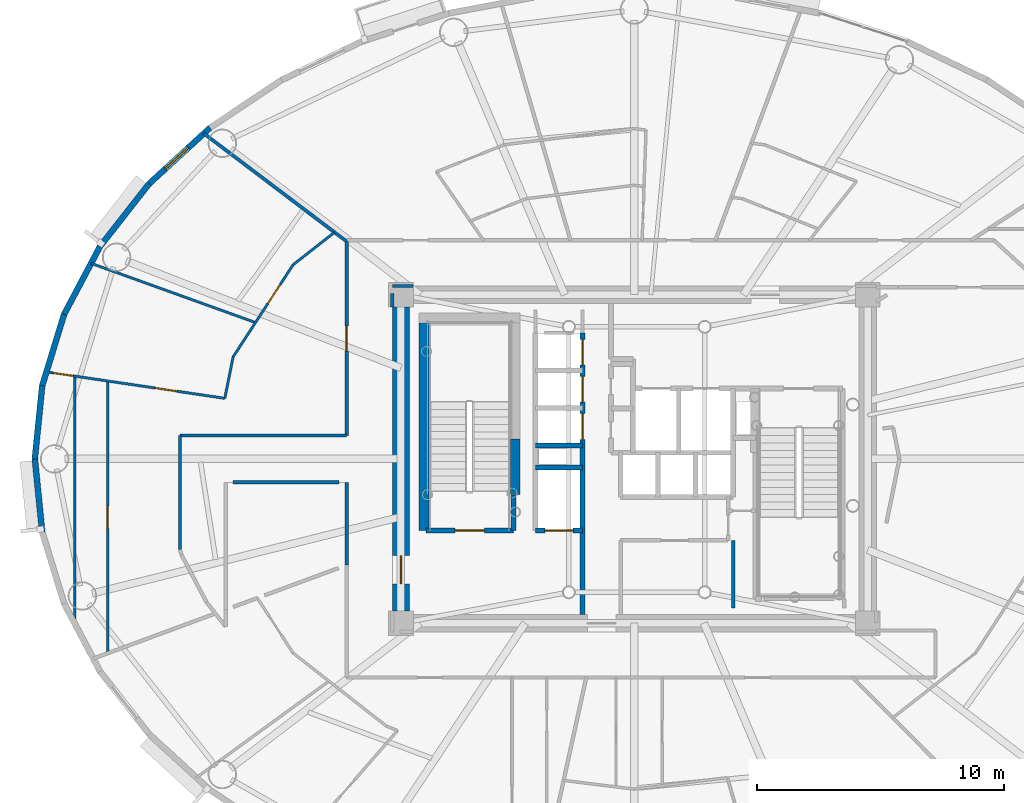
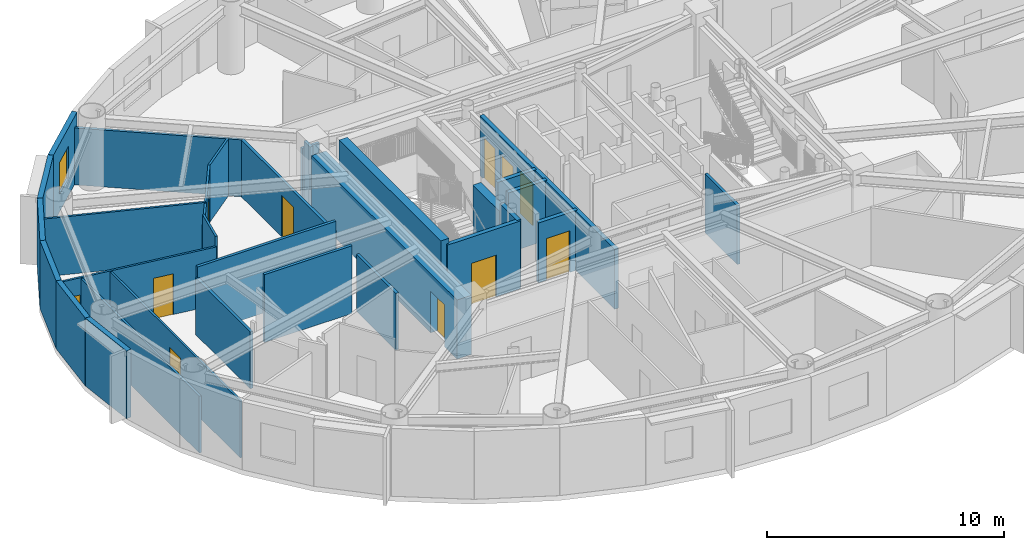
# One storey, part 8 of 19: 31 walls, 11 doors, 1 window, 12 openings.
"""IFC4 building model written with IfcOpenShell, lengths in metres."""

from ifc_helpers import new_model, si_unit, direction, frame, frame_2d, origin, origin_2d, place, context, subcontext, project, spatial, rectangle, extrude, source, transform, mapped, material, layer, layer_set, type_object, element, fill, save


model = new_model("IFC4")

# Units and contexts
model_context = context("Model", 3, precision=1e-05, world=origin(), true_north=direction((0.0, 1.0)))
body_context = subcontext(model_context, "Body", "Model", "MODEL_VIEW")
ifc_project = project(units=[si_unit("LENGTHUNIT", "METRE"), si_unit("AREAUNIT", "SQUARE_METRE"), si_unit("VOLUMEUNIT", "CUBIC_METRE"), si_unit("PLANEANGLEUNIT", "RADIAN"), si_unit("MASSUNIT", "GRAM", prefix="KILO")], contexts=[model_context])

# Site, building, storey
site_placement = place(None, origin())
site = spatial("IfcSite", under=ifc_project, at=site_placement, CompositionType="ELEMENT")
building_placement = place(site_placement, origin())
building = spatial("IfcBuilding", under=site, at=building_placement, Name="Linh Dai School and Residence Tower", CompositionType="ELEMENT")
storey_placement = place(building_placement, frame((0.0, 0.0, 217.800048828125)))
storey = spatial("IfcBuildingStorey", under=building, at=storey_placement, Name="L53", CompositionType="ELEMENT", Elevation=217.800048828125)

# Wall, opening, window
ifc_material_1 = material(Name="Precast Concrete B45 (C35/45)", Category="concrete")
ifc_layer_1 = layer(ifc_material_1, 0.239990234375)
ifc_layer_set_1 = layer_set([ifc_layer_1], Name="Precast Concrete B45 (C35/45)")
wall_type_1 = type_object("IfcWallType", Name="EW-TC-240", PredefinedType="SOLIDWALL", material=ifc_layer_set_1)
wall_1_placement = place(storey_placement, frame((16.3515625, 38.14453125, 0.0), z_axis=(0.0, 0.0, 1.0), x_axis=(0.737123922599, 0.675757591694, 0.0)))
wall_1 = element("IfcWall", 1, at=wall_1_placement, inside=storey, type_object=wall_type_1, Name="L53 Terracotta Exterior Wall 16", PredefinedType="SOLIDWALL", context=body_context, shape_type="SweptSolid", body=[
    extrude(rectangle(XDim=3.353759765625, YDim=0.239990234375, at=frame_2d((1.6767578125, 0.0))), origin(), (0.0, 0.0, 1.0), 3.5),
])
opening_1_placement = place(wall_1_placement, frame((0.8955078125, 0.0, 0.89990234375)))
opening_1 = element("IfcOpeningElement", 2, at=opening_1_placement, cuts=wall_1, Name="Opening W3", PredefinedType="OPENING", context=body_context, shape_type="SweptSolid", body=[
    extrude(rectangle(XDim=1.25, YDim=1.64990234375, at=origin_2d()), frame((0.625, 0.1298828125, 0.824951171875), z_axis=(0.0, -1.0, 0.0), x_axis=(1.0, 0.0, 0.0)), (0.0, 0.0, 1.0), 0.260009765625),
])
ifc_material_2 = material(Name="Double Low-E Insulated Glazing", Category="glass")
window_type = type_object("IfcWindowType", Name="WN-RES-1250x1650", PartitioningType="SINGLE_PANEL", PredefinedType="WINDOW", material=ifc_material_2)
shared_shape_1 = source(origin(), body_context, "Body", "SweptSolid", [
    extrude(rectangle(XDim=1.25, YDim=1.64990234375, at=origin_2d()), frame((0.625, 0.030029296875, 0.824951171875), z_axis=(0.0, -1.0, 0.0), x_axis=(1.0, 0.0, 0.0)), (0.0, 0.0, 1.0), 0.06005859375),
])
window_placement = place(opening_1_placement, origin())
window = element("IfcWindow", 3, at=window_placement, inside=storey, type_object=window_type, Name="L53 Exterior Window 16.1", OverallHeight=1.64990234375, OverallWidth=1.25, PartitioningType="SINGLE_PANEL", PredefinedType="WINDOW", context=body_context, shape_type="MappedRepresentation", body=[
    mapped(shared_shape_1, transform((0.0, 0.0, 0.0), x_axis=(1.0, 0.0, 0.0), y_axis=(0.0, 1.0, 0.0), z_axis=(0.0, 0.0, 1.0), scale=1.0)),
])
fill(opening_1, window)

# Walls
wall_2_placement = place(storey_placement, frame((14.3642578125, 35.605224609375, 0.0), z_axis=(0.0, 0.0, 1.0), x_axis=(0.616312344705, 0.787501805562, 0.0)))
element("IfcWall", 4, at=wall_2_placement, inside=storey, type_object=wall_type_1, Name="L53 Terracotta Exterior Wall 17", PredefinedType="SOLIDWALL", context=body_context, shape_type="SweptSolid", body=[
    extrude(rectangle(XDim=3.224609375, YDim=0.239990234375, at=frame_2d((1.6123046875, 0.0))), origin(), (0.0, 0.0, 1.0), 3.5),
])
wall_3_placement = place(storey_placement, frame((12.90966796875, 32.85595703125, 0.0), z_axis=(0.0, 0.0, 1.0), x_axis=(0.46766049993, 0.883908172157, 0.0)))
element("IfcWall", 5, at=wall_3_placement, inside=storey, type_object=wall_type_1, Name="L53 Terracotta Exterior Wall 18", PredefinedType="SOLIDWALL", context=body_context, shape_type="SweptSolid", body=[
    extrude(rectangle(XDim=3.1103515625, YDim=0.239990234375, at=frame_2d((1.55517578125, 0.0))), origin(), (0.0, 0.0, 1.0), 3.5),
])
wall_4_placement = place(storey_placement, frame((12.02294921875, 29.9638671875, 0.0), z_axis=(0.0, 0.0, 1.0), x_axis=(0.293132907334, 0.95607170162, 0.0)))
element("IfcWall", 6, at=wall_4_placement, inside=storey, type_object=wall_type_1, Name="L53 Terracotta Exterior Wall 19", PredefinedType="SOLIDWALL", context=body_context, shape_type="SweptSolid", body=[
    extrude(rectangle(XDim=3.02490234375, YDim=0.239990234375, at=frame_2d((1.512451171875, 0.0))), origin(), (0.0, 0.0, 1.0), 3.5),
])
for number, where, z_axis, x_axis, name in (
    (7, (11.72509765625, 27.0, 0.0), (0.0, 0.0, 1.0), (0.099990595253, 0.994988382274, 0.0), "L53 Terracotta Exterior Wall 20"),
    (8, (12.02294921875, 24.0361328125, 0.0), (0.0, 0.0, 1.0), (-0.099990595253, 0.994988382274, 0.0), "L53 Terracotta Exterior Wall 21"),
):
    element("IfcWall", number, at=place(storey_placement, frame(where, z_axis=z_axis, x_axis=x_axis)), inside=storey, type_object=wall_type_1, Name=name, PredefinedType="SOLIDWALL", context=body_context, shape_type="SweptSolid", body=[
        extrude(rectangle(XDim=2.978759765625, YDim=0.239990234375, at=frame_2d((1.4892578125, 0.0))), origin(), (0.0, 0.0, 1.0), 3.5),
    ])
ifc_material_3 = material(Name="Autoclaved Aerated Concrete Blockwork", Category="masonry")
ifc_layer_2 = layer(ifc_material_3, 0.135009765625)
ifc_layer_set_2 = layer_set([ifc_layer_2], Name="Autoclaved Aerated Concrete Blockwork")
wall_type_2 = type_object("IfcWallType", Name="IW-CORR-135-EI90", PredefinedType="PARTITIONING", material=ifc_layer_set_2)
wall_5_placement = place(storey_placement, frame((17.60009765625, 23.327880859375, 0.0), z_axis=(0.0, 0.0, 1.0), x_axis=(0.0, 1.0, 0.0)))
element("IfcWall", 9, at=wall_5_placement, inside=storey, type_object=wall_type_2, Name="L53 Interior Partition Wall 006", PredefinedType="PARTITIONING", context=body_context, shape_type="SweptSolid", body=[
    extrude(rectangle(XDim=4.6220703125, YDim=0.135009765625, at=frame_2d((2.31103515625, 0.0))), origin(), (0.0, 0.0, 1.0), 2.93505859375),
])
wall_6_placement = place(storey_placement, frame((17.60009765625, 27.949951171875, 0.0), z_axis=(0.0, 0.0, 1.0), x_axis=(1.0, 0.0, 0.0)))
element("IfcWall", 10, at=wall_6_placement, inside=storey, type_object=wall_type_2, Name="L53 Interior Partition Wall 008", PredefinedType="PARTITIONING", context=body_context, shape_type="SweptSolid", body=[
    extrude(rectangle(XDim=6.75, YDim=0.135009765625, at=frame_2d((3.375, 0.0))), origin(), (0.0, 0.0, 1.0), 3.5),
])
wall_7_placement = place(storey_placement, frame((18.56494140625, 40.180419921875, 0.0), z_axis=(0.0, 0.0, 1.0), x_axis=(0.797711861377, -0.603038793295, 0.0)))
element("IfcWall", 11, at=wall_7_placement, inside=storey, type_object=wall_type_2, Name="L53 Interior Partition Wall 011", PredefinedType="PARTITIONING", context=body_context, shape_type="SweptSolid", body=[
    extrude(rectangle(XDim=7.25244140625, YDim=0.135009765625, at=frame_2d((3.626220703125, 0.0))), origin(), (0.0, 0.0, 1.0), 2.93505859375),
])

# Wall, opening, door
wall_8_placement = place(storey_placement, frame((24.35009765625, 27.949951171875, 0.0), z_axis=(0.0, 0.0, 1.0), x_axis=(0.0, 1.0, 0.0)))
wall_8 = element("IfcWall", 12, at=wall_8_placement, inside=storey, type_object=wall_type_2, Name="L53 Interior Partition Wall 022", PredefinedType="PARTITIONING", context=body_context, shape_type="SweptSolid", body=[
    extrude(rectangle(XDim=7.857177734375, YDim=0.135009765625, at=frame_2d((3.9287109375, 0.0))), origin(), (0.0, 0.0, 1.0), 2.93505859375),
])
opening_2_placement = place(wall_8_placement, frame((3.4287109375, 0.0, 0.0)))
opening_2 = element("IfcOpeningElement", 13, at=opening_2_placement, cuts=wall_8, Name="Opening D03", PredefinedType="OPENING", context=body_context, shape_type="SweptSolid", body=[
    extrude(rectangle(XDim=1.0, YDim=2.14990234375, at=origin_2d()), frame((0.5, 0.07763671875, 1.074951171875), z_axis=(0.0, -1.0, 0.0), x_axis=(1.0, 0.0, 0.0)), (0.0, 0.0, 1.0), 0.155029296875),
])
ifc_material_4 = material(Name="Fire-Rated Solid Timber Entrance Door", Category="wood")
door_type_1 = type_object("IfcDoorType", Name="DR-FLAT-1000x2150-FD60S", OperationType="NOTDEFINED", PredefinedType="DOOR", material=ifc_material_4)
shared_shape_2 = source(origin(), body_context, "Body", "SweptSolid", [
    extrude(rectangle(XDim=1.0, YDim=2.14990234375, at=origin_2d()), frame((0.5, 0.02490234375, 1.074951171875), z_axis=(0.0, -1.0, 0.0), x_axis=(1.0, 0.0, 0.0)), (0.0, 0.0, 1.0), 0.050048828125),
])
door_1_placement = place(opening_2_placement, origin())
door_1 = element("IfcDoor", 14, at=door_1_placement, inside=storey, type_object=door_type_1, Name="L53 U5304 Apartment Entrance Door", OperationType="SINGLE_SWING_LEFT", OverallHeight=2.14990234375, OverallWidth=1.0, PredefinedType="DOOR", context=body_context, shape_type="MappedRepresentation", body=[
    mapped(shared_shape_2, transform((0.0, 0.0, 0.0), x_axis=(1.0, 0.0, 0.0), y_axis=(0.0, 1.0, 0.0), z_axis=(0.0, 0.0, 1.0), scale=1.0)),
])
fill(opening_2, door_1)

# Walls
wall_9_placement = place(storey_placement, frame((40.0, 23.699951171875, 0.0), z_axis=(0.0, 0.0, 1.0), x_axis=(0.0, -1.0, 0.0)))
element("IfcWall", 15, at=wall_9_placement, inside=storey, type_object=wall_type_2, Name="L53 Interior Partition Wall 098", PredefinedType="PARTITIONING", context=body_context, shape_type="SweptSolid", body=[
    extrude(rectangle(XDim=2.739990234375, YDim=0.135009765625, at=frame_2d((1.3701171875, 0.0))), origin(), (0.0, 0.0, 1.0), 3.034912109375),
])
wall_10_placement = place(storey_placement, frame((27.0400390625, 34.0, 0.0), z_axis=(0.0, 0.0, 1.0), x_axis=(-1.0, 0.0, 0.0)))
element("IfcWall", 16, at=wall_10_placement, inside=storey, type_object=wall_type_2, Name="L53 Interior Partition Wall 105", PredefinedType="PARTITIONING", context=body_context, shape_type="SweptSolid", body=[
    extrude(rectangle(XDim=0.840087890625, YDim=0.135009765625, at=frame_2d((0.419921875, 0.0))), origin(), (0.0, 0.0, 1.0), 2.93505859375),
])
wall_11_placement = place(storey_placement, frame((26.199951171875, 33.6923828125, 0.0), z_axis=(0.0, 0.0, 1.0), x_axis=(0.0, -1.0, 0.0)))
element("IfcWall", 17, at=wall_11_placement, inside=storey, type_object=wall_type_2, Name="L53 Interior Partition Wall 106", PredefinedType="PARTITIONING", context=body_context, shape_type="SweptSolid", body=[
    extrude(rectangle(XDim=0.532470703125, YDim=0.135009765625, at=frame_2d((0.26611328125, 0.0))), origin(), (0.0, 0.0, 1.0), 3.5),
])
wall_12_placement = place(storey_placement, frame((24.35009765625, 22.71044921875, 0.0), z_axis=(0.0, 0.0, 1.0), x_axis=(0.0, 1.0, 0.0)))
element("IfcWall", 18, at=wall_12_placement, inside=storey, type_object=wall_type_2, Name="L53 Interior Partition Wall 110", PredefinedType="PARTITIONING", context=body_context, shape_type="SweptSolid", body=[
    extrude(rectangle(XDim=3.339599609375, YDim=0.135009765625, at=frame_2d((1.669921875, 0.0))), origin(), (0.0, 0.0, 1.0), 2.93505859375),
])
wall_13_placement = place(storey_placement, frame((24.04248046875, 26.050048828125, 0.0), z_axis=(0.0, 0.0, 1.0), x_axis=(-1.0, 0.0, 0.0)))
element("IfcWall", 19, at=wall_13_placement, inside=storey, type_object=wall_type_2, Name="L53 Interior Partition Wall 111", PredefinedType="PARTITIONING", context=body_context, shape_type="SweptSolid", body=[
    extrude(rectangle(XDim=4.284912109375, YDim=0.135009765625, at=frame_2d((2.142578125, 0.0))), origin(), (0.0, 0.0, 1.0), 3.5),
])

# Wall, opening, door
ifc_material_5 = material(Name="Concrete B45 (C35/45)", Category="concrete")
ifc_layer_3 = layer(ifc_material_5, 0.199951171875)
ifc_layer_set_3 = layer_set([ifc_layer_3], Name="Concrete B45 (C35/45)")
wall_type_3 = type_object("IfcWallType", Name="IW-SHAFT-200-EI120", PredefinedType="PARTITIONING", material=ifc_layer_set_3)
wall_14_placement = place(storey_placement, frame((27.56005859375, 24.10009765625, 0.0), z_axis=(0.0, 0.0, 1.0), x_axis=(1.0, 0.0, 0.0)))
wall_14 = element("IfcWall", 20, at=wall_14_placement, inside=storey, type_object=wall_type_3, Name="L53 Interior Partition Wall 025", PredefinedType="PARTITIONING", context=body_context, shape_type="SweptSolid", body=[
    extrude(rectangle(XDim=3.5400390625, YDim=0.199951171875, at=frame_2d((1.77001953125, 0.0))), origin(), (0.0, 0.0, 1.0), 3.5),
])
opening_3_placement = place(wall_14_placement, frame((1.169921875, 0.0, 0.0)))
opening_3 = element("IfcOpeningElement", 21, at=opening_3_placement, cuts=wall_14, Name="Opening D01", PredefinedType="OPENING", context=body_context, shape_type="SweptSolid", body=[
    extrude(rectangle(XDim=1.199951171875, YDim=2.14990234375, at=origin_2d()), frame((0.60009765625, 0.10986328125, 1.074951171875), z_axis=(0.0, -1.0, 0.0), x_axis=(1.0, 0.0, 0.0)), (0.0, 0.0, 1.0), 0.219970703125),
])
ifc_material_6 = material(Name="Fire-Rated Steel Door Leaf", Category="steel")
door_type_2 = type_object("IfcDoorType", Name="DR-STAIR-1200x2150-FD90S", OperationType="NOTDEFINED", PredefinedType="DOOR", material=ifc_material_6)
shared_shape_3 = source(origin(), body_context, "Body", "SweptSolid", [
    extrude(rectangle(XDim=1.199951171875, YDim=2.14990234375, at=origin_2d()), frame((0.60009765625, 0.02490234375, 1.074951171875), z_axis=(0.0, -1.0, 0.0), x_axis=(1.0, 0.0, 0.0)), (0.0, 0.0, 1.0), 0.050048828125),
])
door_2_placement = place(opening_3_placement, origin())
door_2 = element("IfcDoor", 22, at=door_2_placement, inside=storey, type_object=door_type_2, Name="L53 Core Smokeproof Exit Stair ST1 Door", OperationType="SINGLE_SWING_RIGHT", OverallHeight=2.14990234375, OverallWidth=1.199951171875, PredefinedType="DOOR", context=body_context, shape_type="MappedRepresentation", body=[
    mapped(shared_shape_3, transform((0.0, 0.0, 0.0), x_axis=(1.0, 0.0, 0.0), y_axis=(0.0, 1.0, 0.0), z_axis=(0.0, 0.0, 1.0), scale=1.0)),
])
fill(opening_3, door_2)

# Wall
wall_15_placement = place(storey_placement, frame((31.10009765625, 24.10009765625, 0.0), z_axis=(0.0, 0.0, 1.0), x_axis=(0.0, 1.0, 0.0)))
element("IfcWall", 23, at=wall_15_placement, inside=storey, type_object=wall_type_3, Name="L53 Interior Partition Wall 032", PredefinedType="PARTITIONING", context=body_context, shape_type="SweptSolid", body=[
    extrude(rectangle(XDim=1.43994140625, YDim=0.199951171875, at=frame_2d((0.719970703125, 0.0))), origin(), (0.0, 0.0, 1.0), 3.5),
])

# Wall, opening, door
wall_16_placement = place(storey_placement, frame((32.0, 24.10009765625, 0.0), z_axis=(0.0, 0.0, 1.0), x_axis=(1.0, 0.0, 0.0)))
wall_16 = element("IfcWall", 24, at=wall_16_placement, inside=storey, type_object=wall_type_3, Name="L53 Interior Partition Wall 036", PredefinedType="PARTITIONING", context=body_context, shape_type="SweptSolid", body=[
    extrude(rectangle(XDim=1.89990234375, YDim=0.199951171875, at=frame_2d((0.949951171875, 0.0))), origin(), (0.0, 0.0, 1.0), 3.0849609375),
])
opening_4_placement = place(wall_16_placement, frame((0.375, 0.0, 0.0)))
opening_4 = element("IfcOpeningElement", 25, at=opening_4_placement, cuts=wall_16, Name="Opening LD-FF2", PredefinedType="OPENING", context=body_context, shape_type="SweptSolid", body=[
    extrude(rectangle(XDim=1.14990234375, YDim=2.14990234375, at=origin_2d()), frame((0.574951171875, 0.10986328125, 1.074951171875), z_axis=(0.0, -1.0, 0.0), x_axis=(1.0, 0.0, 0.0)), (0.0, 0.0, 1.0), 0.219970703125),
])
ifc_material_7 = material(Name="Fire-Rated Stainless Steel Firefighting Lift Door", Category="steel")
door_type_3 = type_object("IfcDoorType", Name="DR-LD-FF-1150x2150-FD120", OperationType="DOUBLE_DOOR_SLIDING", PredefinedType="USERDEFINED", material=ifc_material_7)
shared_shape_4 = source(origin(), body_context, "Body", "SweptSolid", [
    extrude(rectangle(XDim=1.14990234375, YDim=2.14990234375, at=origin_2d()), frame((0.574951171875, 0.02490234375, 1.074951171875), z_axis=(0.0, -1.0, 0.0), x_axis=(1.0, 0.0, 0.0)), (0.0, 0.0, 1.0), 0.050048828125),
])
door_3_placement = place(opening_4_placement, origin())
door_3 = element("IfcDoor", 26, at=door_3_placement, inside=storey, type_object=door_type_3, Name="L53 Lift FF2 Sliding Landing Door", ObjectType="LANDING DOOR", OperationType="DOUBLE_DOOR_SLIDING", OverallHeight=2.14990234375, OverallWidth=1.14990234375, PredefinedType="USERDEFINED", context=body_context, shape_type="MappedRepresentation", body=[
    mapped(shared_shape_4, transform((0.0, 0.0, 0.0), x_axis=(1.0, 0.0, 0.0), y_axis=(0.0, 1.0, 0.0), z_axis=(0.0, 0.0, 1.0), scale=1.0)),
])
fill(opening_4, door_3)

# Walls
for number, where, z_axis, x_axis, name in (
    (27, (32.0, 26.64990234375, 0.0), (0.0, 0.0, 1.0), (1.0, 0.0, 0.0), "L53 Interior Partition Wall 037"),
    (28, (32.0, 27.550048828125, 0.0), (0.0, 0.0, 1.0), (1.0, 0.0, 0.0), "L53 Interior Partition Wall 038"),
):
    element("IfcWall", number, at=place(storey_placement, frame(where, z_axis=z_axis, x_axis=x_axis)), inside=storey, type_object=wall_type_3, Name=name, PredefinedType="PARTITIONING", context=body_context, shape_type="SweptSolid", body=[
        extrude(rectangle(XDim=1.89990234375, YDim=0.199951171875, at=frame_2d((0.949951171875, 0.0))), origin(), (0.0, 0.0, 1.0), 3.0849609375),
    ])

# Wall, openings, doors
wall_17_placement = place(storey_placement, frame((33.89990234375, 20.699951171875, 0.0), z_axis=(0.0, 0.0, 1.0), x_axis=(0.0, 1.0, 0.0)))
wall_17 = element("IfcWall", 29, at=wall_17_placement, inside=storey, type_object=wall_type_3, Name="L53 Interior Partition Wall 044", PredefinedType="PARTITIONING", context=body_context, shape_type="SweptSolid", body=[
    extrude(rectangle(XDim=11.400146484375, YDim=0.199951171875, at=frame_2d((5.7001953125, 0.0))), origin(), (0.0, 0.0, 1.0), 3.0849609375),
])
opening_5_placement = place(wall_17_placement, frame((7.080078125, 0.0, 0.0)))
opening_5 = element("IfcOpeningElement", 30, at=opening_5_placement, cuts=wall_17, Name="Opening LD-PL4", PredefinedType="OPENING", context=body_context, shape_type="SweptSolid", body=[
    extrude(rectangle(XDim=1.050048828125, YDim=2.14990234375, at=origin_2d()), frame((0.52490234375, 0.10986328125, 1.074951171875), z_axis=(0.0, -1.0, 0.0), x_axis=(1.0, 0.0, 0.0)), (0.0, 0.0, 1.0), 0.219970703125),
])
opening_6_placement = place(wall_17_placement, frame((8.594970703125, 0.0, 0.0)))
opening_6 = element("IfcOpeningElement", 31, at=opening_6_placement, cuts=wall_17, Name="Opening LD-PL5", PredefinedType="OPENING", context=body_context, shape_type="SweptSolid", body=[
    extrude(rectangle(XDim=1.050048828125, YDim=2.14990234375, at=origin_2d()), frame((0.52490234375, 0.10986328125, 1.074951171875), z_axis=(0.0, -1.0, 0.0), x_axis=(1.0, 0.0, 0.0)), (0.0, 0.0, 1.0), 0.219970703125),
])
opening_7_placement = place(wall_17_placement, frame((10.094970703125, 0.0, 0.0)))
opening_7 = element("IfcOpeningElement", 32, at=opening_7_placement, cuts=wall_17, Name="Opening LD-PL6", PredefinedType="OPENING", context=body_context, shape_type="SweptSolid", body=[
    extrude(rectangle(XDim=1.050048828125, YDim=2.14990234375, at=origin_2d()), frame((0.52490234375, 0.10986328125, 1.074951171875), z_axis=(0.0, -1.0, 0.0), x_axis=(1.0, 0.0, 0.0)), (0.0, 0.0, 1.0), 0.219970703125),
])
ifc_material_8 = material(Name="Brushed Stainless Steel Lift Landing Door", Category="steel")
door_type_4 = type_object("IfcDoorType", Name="DR-LD-PASS-1050x2150", OperationType="DOUBLE_DOOR_SLIDING", PredefinedType="USERDEFINED", material=ifc_material_8)
shared_shape_5 = source(origin(), body_context, "Body", "SweptSolid", [
    extrude(rectangle(XDim=1.050048828125, YDim=2.14990234375, at=origin_2d()), frame((0.52490234375, 0.02490234375, 1.074951171875), z_axis=(0.0, -1.0, 0.0), x_axis=(1.0, 0.0, 0.0)), (0.0, 0.0, 1.0), 0.050048828125),
])
door_4_placement = place(opening_5_placement, origin())
door_4 = element("IfcDoor", 33, at=door_4_placement, inside=storey, type_object=door_type_4, Name="L53 Lift PL4 Sliding Landing Door", ObjectType="LANDING DOOR", OperationType="DOUBLE_DOOR_SLIDING", OverallHeight=2.14990234375, OverallWidth=1.050048828125, PredefinedType="USERDEFINED", context=body_context, shape_type="MappedRepresentation", body=[
    mapped(shared_shape_5, transform((0.0, 0.0, 0.0), x_axis=(1.0, 0.0, 0.0), y_axis=(0.0, 1.0, 0.0), z_axis=(0.0, 0.0, 1.0), scale=1.0)),
])
fill(opening_5, door_4)
door_5_placement = place(opening_6_placement, origin())
door_5 = element("IfcDoor", 34, at=door_5_placement, inside=storey, type_object=door_type_4, Name="L53 Lift PL5 Sliding Landing Door", ObjectType="LANDING DOOR", OperationType="DOUBLE_DOOR_SLIDING", OverallHeight=2.14990234375, OverallWidth=1.050048828125, PredefinedType="USERDEFINED", context=body_context, shape_type="MappedRepresentation", body=[
    mapped(shared_shape_5, transform((0.0, 0.0, 0.0), x_axis=(1.0, 0.0, 0.0), y_axis=(0.0, 1.0, 0.0), z_axis=(0.0, 0.0, 1.0), scale=1.0)),
])
fill(opening_6, door_5)
door_6_placement = place(opening_7_placement, origin())
door_6 = element("IfcDoor", 35, at=door_6_placement, inside=storey, type_object=door_type_4, Name="L53 Lift PL6 Sliding Landing Door", ObjectType="LANDING DOOR", OperationType="DOUBLE_DOOR_SLIDING", OverallHeight=2.14990234375, OverallWidth=1.050048828125, PredefinedType="USERDEFINED", context=body_context, shape_type="MappedRepresentation", body=[
    mapped(shared_shape_5, transform((0.0, 0.0, 0.0), x_axis=(1.0, 0.0, 0.0), y_axis=(0.0, 1.0, 0.0), z_axis=(0.0, 0.0, 1.0), scale=1.0)),
])
fill(opening_7, door_6)

ifc_material_9 = material(Name="Gypsum Plasterboard Acoustic Stud Partition", Category="masonry")
ifc_layer_4 = layer(ifc_material_9, 0.10009765625)
ifc_layer_set_4 = layer_set([ifc_layer_4], Name="Gypsum Plasterboard Acoustic Stud Partition")
wall_type_4 = type_object("IfcWallType", Name="IW-UNIT-100", PredefinedType="PARTITIONING", material=ifc_layer_set_4)
wall_18_placement = place(storey_placement, frame((12.189208984375, 30.52294921875, 0.0), z_axis=(0.0, 0.0, 1.0), x_axis=(0.98923000083, -0.146369414352, 0.0)))
wall_18 = element("IfcWall", 36, at=wall_18_placement, inside=storey, type_object=wall_type_4, Name="L53 Interior Partition Wall 001", PredefinedType="PARTITIONING", context=body_context, shape_type="SweptSolid", body=[
    extrude(rectangle(XDim=7.3056640625, YDim=0.10009765625, at=frame_2d((3.65283203125, 0.0))), origin(), (0.0, 0.0, 1.0), 2.98486328125),
])
opening_8_placement = place(wall_18_placement, frame((4.436767578125, 0.0, 0.0)))
opening_8 = element("IfcOpeningElement", 37, at=opening_8_placement, cuts=wall_18, Name="Opening D05", PredefinedType="OPENING", context=body_context, shape_type="SweptSolid", body=[
    extrude(rectangle(XDim=0.89990234375, YDim=2.10009765625, at=origin_2d()), frame((0.449951171875, 0.06005859375, 1.050048828125), z_axis=(0.0, -1.0, 0.0), x_axis=(1.0, 0.0, 0.0)), (0.0, 0.0, 1.0), 0.1201171875),
])
opening_9_placement = place(wall_18_placement, frame((0.27197265625, 0.0, 0.0)))
opening_9 = element("IfcOpeningElement", 38, at=opening_9_placement, cuts=wall_18, Name="Opening D06", PredefinedType="OPENING", context=body_context, shape_type="SweptSolid", body=[
    extrude(rectangle(XDim=0.820068359375, YDim=2.10009765625, at=origin_2d()), frame((0.41015625, 0.06005859375, 1.050048828125), z_axis=(0.0, -1.0, 0.0), x_axis=(1.0, 0.0, 0.0)), (0.0, 0.0, 1.0), 0.1201171875),
])
ifc_material_10 = material(Name="Moisture-Resistant Timber Bathroom Door", Category="wood")
door_type_5 = type_object("IfcDoorType", Name="DR-WET-820x2100", OperationType="NOTDEFINED", PredefinedType="DOOR", material=ifc_material_10)
shared_shape_6 = source(origin(), body_context, "Body", "SweptSolid", [
    extrude(rectangle(XDim=0.820068359375, YDim=2.10009765625, at=origin_2d()), frame((0.41015625, 0.02490234375, 1.050048828125), z_axis=(0.0, -1.0, 0.0), x_axis=(1.0, 0.0, 0.0)), (0.0, 0.0, 1.0), 0.050048828125),
])
door_7_placement = place(opening_9_placement, origin())
door_7 = element("IfcDoor", 39, at=door_7_placement, inside=storey, type_object=door_type_5, Name="L53 Apartment U5304 Bathroom 1 Door", OperationType="SINGLE_SWING_RIGHT", OverallHeight=2.10009765625, OverallWidth=0.820068359375, PredefinedType="DOOR", context=body_context, shape_type="MappedRepresentation", body=[
    mapped(shared_shape_6, transform((0.0, 0.0, 0.0), x_axis=(1.0, 0.0, 0.0), y_axis=(0.0, 1.0, 0.0), z_axis=(0.0, 0.0, 1.0), scale=1.0)),
])
fill(opening_9, door_7)
ifc_material_11 = material(Name="Engineered Timber Internal Door", Category="wood")
door_type_6 = type_object("IfcDoorType", Name="DR-INT-900x2100", OperationType="NOTDEFINED", PredefinedType="DOOR", material=ifc_material_11)
shared_shape_7 = source(origin(), body_context, "Body", "SweptSolid", [
    extrude(rectangle(XDim=0.89990234375, YDim=2.10009765625, at=origin_2d()), frame((0.449951171875, 0.02490234375, 1.050048828125), z_axis=(0.0, -1.0, 0.0), x_axis=(1.0, 0.0, 0.0)), (0.0, 0.0, 1.0), 0.050048828125),
])
door_8_placement = place(opening_8_placement, origin())
door_8 = element("IfcDoor", 40, at=door_8_placement, inside=storey, type_object=door_type_6, Name="L53 Apartment U5304 Study Door", OperationType="SINGLE_SWING_LEFT", OverallHeight=2.10009765625, OverallWidth=0.89990234375, PredefinedType="DOOR", context=body_context, shape_type="MappedRepresentation", body=[
    mapped(shared_shape_7, transform((0.0, 0.0, 0.0), x_axis=(1.0, 0.0, 0.0), y_axis=(0.0, 1.0, 0.0), z_axis=(0.0, 0.0, 1.0), scale=1.0)),
])
fill(opening_8, door_8)

# Walls
wall_19_placement = place(storey_placement, frame((13.35009765625, 20.30126953125, 0.0), z_axis=(0.0, 0.0, 1.0), x_axis=(0.0, 1.0, 0.0)))
element("IfcWall", 41, at=wall_19_placement, inside=storey, type_object=wall_type_4, Name="L53 Interior Partition Wall 002", PredefinedType="PARTITIONING", context=body_context, shape_type="SweptSolid", body=[
    extrude(rectangle(XDim=10.0498046875, YDim=0.10009765625, at=frame_2d((5.02490234375, 0.0))), origin(), (0.0, 0.0, 1.0), 2.93505859375),
])
wall_20_placement = place(storey_placement, frame((13.996826171875, 34.92138671875, 0.0), z_axis=(0.0, 0.0, 1.0), x_axis=(0.940885654064, -0.338724351023, 0.0)))
element("IfcWall", 42, at=wall_20_placement, inside=storey, type_object=wall_type_4, Name="L53 Interior Partition Wall 003", PredefinedType="PARTITIONING", context=body_context, shape_type="SweptSolid", body=[
    extrude(rectangle(XDim=7.082275390625, YDim=0.10009765625, at=frame_2d((3.541015625, 0.0))), origin(), (0.0, 0.0, 1.0), 2.98486328125),
])

# Wall, opening, door
wall_21_placement = place(storey_placement, frame((14.669921875, 19.128173828125, 0.0), z_axis=(0.0, 0.0, 1.0), x_axis=(0.0, 1.0, 0.0)))
wall_21 = element("IfcWall", 43, at=wall_21_placement, inside=storey, type_object=wall_type_4, Name="L53 Interior Partition Wall 005", PredefinedType="PARTITIONING", context=body_context, shape_type="SweptSolid", body=[
    extrude(rectangle(XDim=11.027587890625, YDim=0.10009765625, at=frame_2d((5.513671875, 0.0))), origin(), (0.0, 0.0, 1.0), 2.93505859375),
])
opening_10_placement = place(wall_21_placement, frame((5.063720703125, 0.0, 0.0)))
opening_10 = element("IfcOpeningElement", 44, at=opening_10_placement, cuts=wall_21, Name="Opening D05", PredefinedType="OPENING", context=body_context, shape_type="SweptSolid", body=[
    extrude(rectangle(XDim=0.89990234375, YDim=2.10009765625, at=origin_2d()), frame((0.449951171875, 0.06005859375, 1.050048828125), z_axis=(0.0, -1.0, 0.0), x_axis=(1.0, 0.0, 0.0)), (0.0, 0.0, 1.0), 0.1201171875),
])
door_9_placement = place(opening_10_placement, origin())
door_9 = element("IfcDoor", 45, at=door_9_placement, inside=storey, type_object=door_type_6, Name="L53 Apartment U5304 Kitchen Door", OperationType="SINGLE_SWING_LEFT", OverallHeight=2.10009765625, OverallWidth=0.89990234375, PredefinedType="DOOR", context=body_context, shape_type="MappedRepresentation", body=[
    mapped(shared_shape_7, transform((0.0, 0.0, 0.0), x_axis=(1.0, 0.0, 0.0), y_axis=(0.0, 1.0, 0.0), z_axis=(0.0, 0.0, 1.0), scale=1.0)),
])
fill(opening_10, door_9)

# Wall
wall_22_placement = place(storey_placement, frame((19.416259765625, 29.45361328125, 0.0), z_axis=(0.0, 0.0, 1.0), x_axis=(0.198253557863, 0.980150767379, 0.0)))
element("IfcWall", 46, at=wall_22_placement, inside=storey, type_object=wall_type_4, Name="L53 Interior Partition Wall 013", PredefinedType="PARTITIONING", context=body_context, shape_type="SweptSolid", body=[
    extrude(rectangle(XDim=1.712890625, YDim=0.10009765625, at=frame_2d((0.8564453125, 0.0))), origin(), (0.0, 0.0, 1.0), 3.5),
])

# Wall, opening, door
wall_23_placement = place(storey_placement, frame((19.755859375, 31.132568359375, 0.0), z_axis=(0.0, 0.0, 1.0), x_axis=(0.545406924684, 0.83817139447, 0.0)))
wall_23 = element("IfcWall", 47, at=wall_23_placement, inside=storey, type_object=wall_type_4, Name="L53 Interior Partition Wall 015", PredefinedType="PARTITIONING", context=body_context, shape_type="SweptSolid", body=[
    extrude(rectangle(XDim=4.447998046875, YDim=0.10009765625, at=frame_2d((2.22412109375, 0.0))), origin(), (0.0, 0.0, 1.0), 2.93505859375),
])
opening_11_placement = place(wall_23_placement, frame((2.5830078125, 0.0, 0.0)))
opening_11 = element("IfcOpeningElement", 48, at=opening_11_placement, cuts=wall_23, Name="Opening D05", PredefinedType="OPENING", context=body_context, shape_type="SweptSolid", body=[
    extrude(rectangle(XDim=0.89990234375, YDim=2.10009765625, at=origin_2d()), frame((0.449951171875, 0.06005859375, 1.050048828125), z_axis=(0.0, -1.0, 0.0), x_axis=(1.0, 0.0, 0.0)), (0.0, 0.0, 1.0), 0.1201171875),
])
door_10_placement = place(opening_11_placement, origin())
door_10 = element("IfcDoor", 49, at=door_10_placement, inside=storey, type_object=door_type_6, Name="L53 Apartment U5304 Principal Bedroom 1 Door", OperationType="SINGLE_SWING_RIGHT", OverallHeight=2.10009765625, OverallWidth=0.89990234375, PredefinedType="DOOR", context=body_context, shape_type="MappedRepresentation", body=[
    mapped(shared_shape_7, transform((0.0, 0.0, 0.0), x_axis=(1.0, 0.0, 0.0), y_axis=(0.0, 1.0, 0.0), z_axis=(0.0, 0.0, 1.0), scale=1.0)),
])
fill(opening_11, door_10)

# Walls
wall_24_placement = place(storey_placement, frame((22.181884765625, 34.86083984375, 0.0), z_axis=(0.0, 0.0, 1.0), x_axis=(0.787401156588, 0.616440928722, 0.0)))
element("IfcWall", 50, at=wall_24_placement, inside=storey, type_object=wall_type_4, Name="L53 Interior Partition Wall 018", PredefinedType="PARTITIONING", context=body_context, shape_type="SweptSolid", body=[
    extrude(rectangle(XDim=2.133544921875, YDim=0.10009765625, at=frame_2d((1.06689453125, 0.0))), origin(), (0.0, 0.0, 1.0), 2.93505859375),
])
ifc_layer_5 = layer(ifc_material_5, 0.39990234375)
ifc_layer_set_5 = layer_set([ifc_layer_5], Name="Concrete B45 (C35/45)")
wall_type_5 = type_object("IfcWallType", Name="WL-CORE400", PredefinedType="SHEAR", material=ifc_layer_set_5)
wall_25_placement = place(storey_placement, frame((27.47998046875, 24.10009765625, 0.0), z_axis=(0.0, 0.0, 1.0), x_axis=(0.0, 1.0, 0.0)))
element("IfcWall", 51, at=wall_25_placement, inside=storey, type_object=wall_type_5, Name="L53 Core Stair ST1 Bearing Wall W", PredefinedType="SHEAR", context=body_context, shape_type="SweptSolid", body=[
    extrude(rectangle(XDim=8.599853515625, YDim=0.39990234375, at=frame_2d((4.2998046875, 0.0))), origin(), (0.0, 0.0, 1.0), 3.75),
])
wall_26_placement = place(storey_placement, frame((31.179931640625, 25.550048828125, 0.0), z_axis=(0.0, 0.0, 1.0), x_axis=(0.0, 1.0, 0.0)))
element("IfcWall", 52, at=wall_26_placement, inside=storey, type_object=wall_type_5, Name="L53 Internal Core Shear Wall IW", PredefinedType="SHEAR", context=body_context, shape_type="SweptSolid", body=[
    extrude(rectangle(XDim=2.25, YDim=0.39990234375, at=frame_2d((1.125, 0.0))), origin(), (0.0, 0.0, 1.0), 3.099853515625),
])

# Wall, opening, door
ifc_layer_6 = layer(ifc_material_5, 0.699951171875)
ifc_layer_set_6 = layer_set([ifc_layer_6], Name="Concrete B45 (C35/45)")
wall_type_6 = type_object("IfcWallType", Name="WL-CORE700", PredefinedType="SHEAR", material=ifc_layer_set_6)
wall_27_placement = place(storey_placement, frame((26.550048828125, 20.85009765625, 0.0), z_axis=(0.0, 0.0, 1.0), x_axis=(0.0, 1.0, 0.0)))
wall_27 = element("IfcWall", 53, at=wall_27_placement, inside=storey, type_object=wall_type_6, Name="L53 Central Core Shear Wall W", PredefinedType="SHEAR", context=body_context, shape_type="SweptSolid", body=[
    extrude(rectangle(XDim=12.2998046875, YDim=0.699951171875, at=frame_2d((6.14990234375, 0.0))), origin(), (0.0, 0.0, 1.0), 3.050048828125),
])
opening_12_placement = place(wall_27_placement, frame((1.085205078125, 0.0, 0.0)))
opening_12 = element("IfcOpeningElement", 54, at=opening_12_placement, cuts=wall_27, Name="Opening D02", PredefinedType="OPENING", context=body_context, shape_type="SweptSolid", body=[
    extrude(rectangle(XDim=1.14990234375, YDim=2.14990234375, at=origin_2d()), frame((0.574951171875, 0.35986328125, 1.074951171875), z_axis=(0.0, -1.0, 0.0), x_axis=(1.0, 0.0, 0.0)), (0.0, 0.0, 1.0), 0.719970703125),
])
ifc_material_12 = material(Name="Fire-Rated Glazed Steel Lobby Door", Category="steel")
door_type_7 = type_object("IfcDoorType", Name="DR-LOBBY-1150x2150-FD90S", OperationType="NOTDEFINED", PredefinedType="DOOR", material=ifc_material_12)
shared_shape_8 = source(origin(), body_context, "Body", "SweptSolid", [
    extrude(rectangle(XDim=1.14990234375, YDim=2.14990234375, at=origin_2d()), frame((0.574951171875, 0.02490234375, 1.074951171875), z_axis=(0.0, -1.0, 0.0), x_axis=(1.0, 0.0, 0.0)), (0.0, 0.0, 1.0), 0.050048828125),
])
door_11_placement = place(opening_12_placement, origin())
door_11 = element("IfcDoor", 55, at=door_11_placement, inside=storey, type_object=door_type_7, Name="L53 Firefighting Lobby Door", OperationType="SINGLE_SWING_LEFT", OverallHeight=2.14990234375, OverallWidth=1.14990234375, PredefinedType="DOOR", context=body_context, shape_type="MappedRepresentation", body=[
    mapped(shared_shape_8, transform((0.0, 0.0, 0.0), x_axis=(1.0, 0.0, 0.0), y_axis=(0.0, 1.0, 0.0), z_axis=(0.0, 0.0, 1.0), scale=1.0)),
])
fill(opening_12, door_11)

save(model, "model.ifc")
